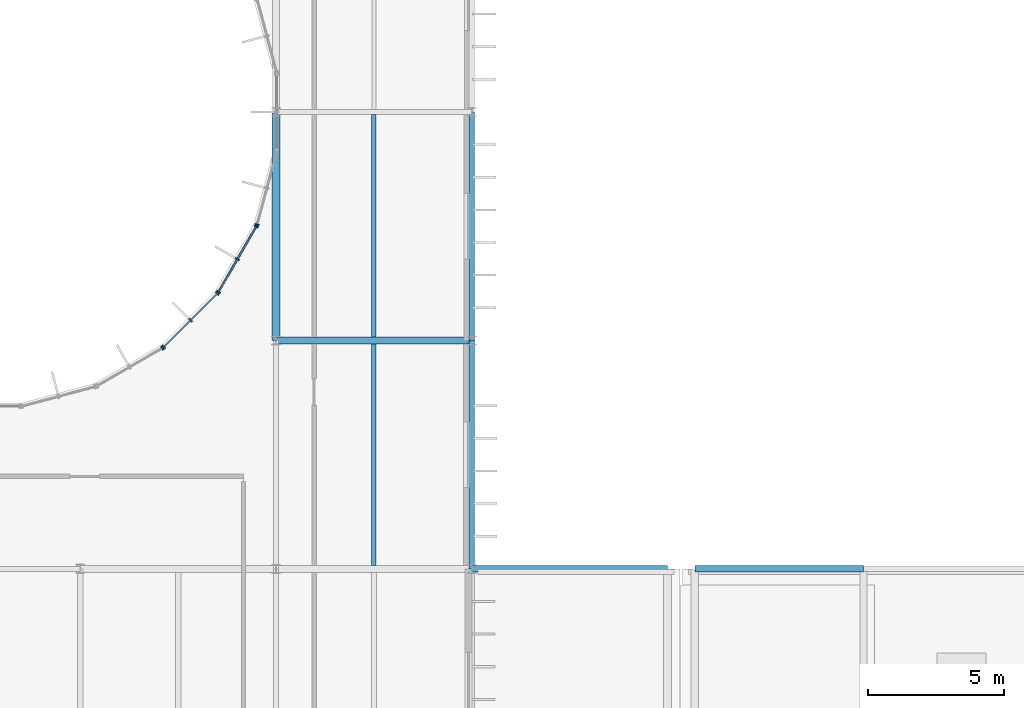
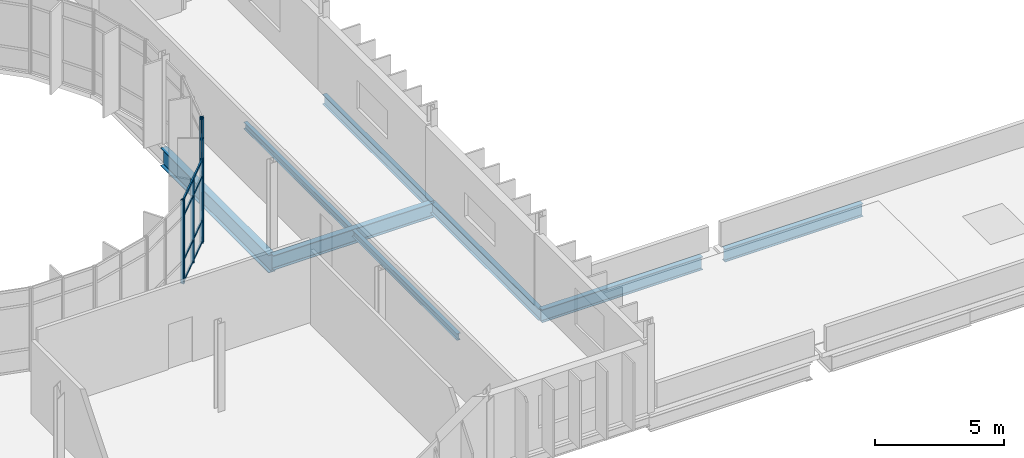
# One storey, part 23 of 61: 16 members, 8 beams, 4 elements without a shape of their own.
"""IFC4 building model written with IfcOpenShell, lengths in metres."""

from ifc_helpers import new_model, si_unit, direction, frame, origin, origin_2d, place, context, subcontext, project, spatial, rectangle, i_section, extrude, material, material_profile, profile_set, type_object, element, aggregate, save


model = new_model("IFC4")

# Units and contexts
model_context = context("Model", 3, precision=1e-05, world=origin(), true_north=direction((0.0, 1.0)))
body_context = subcontext(model_context, "Body", "Model", "MODEL_VIEW")
ifc_project = project(units=[si_unit("LENGTHUNIT", "METRE"), si_unit("AREAUNIT", "SQUARE_METRE"), si_unit("VOLUMEUNIT", "CUBIC_METRE"), si_unit("PLANEANGLEUNIT", "RADIAN"), si_unit("MASSUNIT", "GRAM", prefix="KILO")], contexts=[model_context])

# Site, building, storey
site_placement = place(None, origin())
site = spatial("IfcSite", under=ifc_project, at=site_placement, CompositionType="ELEMENT")
building_placement = place(site_placement, origin())
building = spatial("IfcBuilding", under=site, at=building_placement, Name="Qelthora Terrace Specialist Clinic", CompositionType="ELEMENT")
storey_placement = place(building_placement, frame((0.0, 0.0, 13.199951171875)))
storey = spatial("IfcBuildingStorey", under=building, at=storey_placement, Name="L03", CompositionType="ELEMENT", Elevation=13.199951171875)

# Beams
ifc_material_1 = material(Name="Steel S355", Category="steel")
ifc_material_profile_1 = material_profile(ifc_material_1, i_section(OverallWidth=0.193115234375, OverallDepth=0.466064453125, WebThickness=0.011474609375, FlangeThickness=0.01904296875, FilletRadius=0.012939453125, at=origin_2d()), Name="W460X97")
ifc_profile_set_1 = profile_set([ifc_material_profile_1], Name="Steel S355")
beam_type_1 = type_object("IfcBeamType", Name="BM-W460X97", PredefinedType="BEAM", material=ifc_profile_set_1)
beam_1_placement = place(storey_placement, frame((43.199951171875, 75.60009765625, -0.48291015625), z_axis=(0.0, 1.0, 0.0), x_axis=(-1.0, 0.0, 0.0)))
element("IfcBeam", 1, at=beam_1_placement, inside=storey, type_object=beam_type_1, Name="Girder BMY-L03-1057", PredefinedType="BEAM", context=body_context, shape_type="SweptSolid", body=[
    extrude(i_section(OverallWidth=0.193115234375, OverallDepth=0.466064453125, WebThickness=0.011474609375, FlangeThickness=0.01904296875, FilletRadius=0.012939453125, at=origin_2d()), origin(), (0.0, 0.0, 1.0), 8.39990234375),
])
ifc_material_profile_2 = material_profile(ifc_material_1, i_section(OverallWidth=0.2099609375, OverallDepth=0.537109375, WebThickness=0.010986328125, FlangeThickness=0.017333984375, FilletRadius=0.013916015625, at=origin_2d()), Name="W530X101")
ifc_profile_set_2 = profile_set([ifc_material_profile_2], Name="Steel S355")
beam_type_2 = type_object("IfcBeamType", Name="BM-W530X101", PredefinedType="BEAM", material=ifc_profile_set_2)
beam_2_placement = place(storey_placement, frame((43.199951171875, 67.199951171875, -0.5185546875), z_axis=(0.0, 1.0, 0.0), x_axis=(-1.0, 0.0, 0.0)))
element("IfcBeam", 2, at=beam_2_placement, inside=storey, type_object=beam_type_2, Name="Girder BMY-L03-1056", PredefinedType="BEAM", context=body_context, shape_type="SweptSolid", body=[
    extrude(i_section(OverallWidth=0.2099609375, OverallDepth=0.537109375, WebThickness=0.010986328125, FlangeThickness=0.017333984375, FilletRadius=0.013916015625, at=origin_2d()), origin(), (0.0, 0.0, 1.0), 8.400146484375),
])
ifc_material_profile_3 = material_profile(ifc_material_1, i_section(OverallWidth=0.22900390625, OverallDepth=0.612060546875, WebThickness=0.011962890625, FlangeThickness=0.01953125, FilletRadius=0.01611328125, at=origin_2d()), Name="W610X125")
ifc_profile_set_3 = profile_set([ifc_material_profile_3], Name="Steel S355")
beam_type_3 = type_object("IfcBeamType", Name="BM-W610X125", PredefinedType="BEAM", material=ifc_profile_set_3)
beam_3_placement = place(storey_placement, frame((51.39990234375, 67.199951171875, -0.555908203125), z_axis=(1.0, 0.0, 0.0), x_axis=(0.0, 1.0, 0.0)))
element("IfcBeam", 3, at=beam_3_placement, inside=storey, type_object=beam_type_3, Name="Girder BMX-L03-0956", PredefinedType="BEAM", context=body_context, shape_type="SweptSolid", body=[
    extrude(i_section(OverallWidth=0.22900390625, OverallDepth=0.612060546875, WebThickness=0.011962890625, FlangeThickness=0.01953125, FilletRadius=0.01611328125, at=origin_2d()), origin(), (0.0, 0.0, 1.0), 6.2001953125),
])
ifc_material_profile_4 = material_profile(ifc_material_1, i_section(OverallWidth=0.22998046875, OverallDepth=0.616943359375, WebThickness=0.01318359375, FlangeThickness=0.022216796875, FilletRadius=0.01611328125, at=origin_2d()), Name="W610X140")
ifc_profile_set_4 = profile_set([ifc_material_profile_4], Name="Steel S355")
beam_type_4 = type_object("IfcBeamType", Name="BM-W610X140", PredefinedType="BEAM", material=ifc_profile_set_4)
beam_4_placement = place(storey_placement, frame((43.199951171875, 67.199951171875, -0.558349609375), z_axis=(1.0, 0.0, 0.0), x_axis=(0.0, 1.0, 0.0)))
element("IfcBeam", 4, at=beam_4_placement, inside=storey, type_object=beam_type_4, Name="Girder BMX-L03-0955", PredefinedType="BEAM", context=body_context, shape_type="SweptSolid", body=[
    extrude(i_section(OverallWidth=0.22998046875, OverallDepth=0.616943359375, WebThickness=0.01318359375, FlangeThickness=0.022216796875, FilletRadius=0.01611328125, at=origin_2d()), origin(), (0.0, 0.0, 1.0), 7.199951171875),
])
ifc_material_profile_5 = material_profile(ifc_material_1, i_section(OverallWidth=0.256103515625, OverallDepth=0.693115234375, WebThickness=0.014404296875, FlangeThickness=0.023681640625, FilletRadius=0.01806640625, at=origin_2d()), Name="W690X170")
ifc_profile_set_5 = profile_set([ifc_material_profile_5], Name="Steel S355")
beam_type_5 = type_object("IfcBeamType", Name="BM-W690X170", PredefinedType="BEAM", material=ifc_profile_set_5)
beam_5_placement = place(storey_placement, frame((36.0, 75.60009765625, -0.596435546875), z_axis=(1.0, 0.0, 0.0), x_axis=(0.0, 1.0, 0.0)))
element("IfcBeam", 5, at=beam_5_placement, inside=storey, type_object=beam_type_5, Name="Girder BMX-L03-0967", PredefinedType="BEAM", context=body_context, shape_type="SweptSolid", body=[
    extrude(i_section(OverallWidth=0.256103515625, OverallDepth=0.693115234375, WebThickness=0.014404296875, FlangeThickness=0.023681640625, FilletRadius=0.01806640625, at=origin_2d()), origin(), (0.0, 0.0, 1.0), 7.199951171875),
])
ifc_material_profile_6 = material_profile(ifc_material_1, i_section(OverallWidth=0.2939453125, OverallDepth=0.85107421875, WebThickness=0.01611328125, FlangeThickness=0.02685546875, FilletRadius=0.02001953125, at=origin_2d()), Name="W840X226")
ifc_profile_set_6 = profile_set([ifc_material_profile_6], Name="Steel S355")
beam_type_6 = type_object("IfcBeamType", Name="BM-W840X226", PredefinedType="BEAM", material=ifc_profile_set_6)
beam_6_placement = place(storey_placement, frame((36.0, 75.60009765625, -0.675537109375), z_axis=(0.0, 1.0, 0.0), x_axis=(-1.0, 0.0, 0.0)))
element("IfcBeam", 6, at=beam_6_placement, inside=storey, type_object=beam_type_6, Name="Girder BMY-L03-1051", PredefinedType="BEAM", context=body_context, shape_type="SweptSolid", body=[
    extrude(i_section(OverallWidth=0.2939453125, OverallDepth=0.85107421875, WebThickness=0.01611328125, FlangeThickness=0.02685546875, FilletRadius=0.02001953125, at=origin_2d()), origin(), (0.0, 0.0, 1.0), 8.39990234375),
])

# Curtain wall, member
ifc_material_2 = material(Name="Aluminium anodized bronze", Category="aluminium")
curtain_wall_type = type_object("IfcCurtainWallType", Name="CW-CRTW-UPP", PredefinedType="NOTDEFINED", material=ifc_material_2)
curtain_wall_1_placement = place(storey_placement, origin())
curtain_wall_1 = element("IfcCurtainWall", 7, at=curtain_wall_1_placement, inside=storey, type_object=curtain_wall_type, Name="Curtain wall CW-CW-L03-20", PredefinedType="NOTDEFINED")
ifc_material_profile_7 = material_profile(ifc_material_2, rectangle(XDim=0.06005859375, YDim=0.14990234375, at=origin_2d()), Name="CWM60X150")
ifc_profile_set_7 = profile_set([ifc_material_profile_7], Name="Aluminium anodized bronze")
member_type_1 = type_object("IfcMemberType", Name="CWM-60X150", PredefinedType="MULLION", material=ifc_profile_set_7)
member_1_placement = place(storey_placement, frame((31.8173828125, 75.31787109375, 0.0), z_axis=(0.0, 0.0, 1.0), x_axis=(0.866025635896, 0.499999597971, 0.0)))
member_1 = element("IfcMember", 8, at=member_1_placement, type_object=member_type_1, Name="CW-CW-L03-20 mullion 3", PredefinedType="MULLION", context=body_context, shape_type="SweptSolid", body=[
    extrude(rectangle(XDim=0.06005859375, YDim=0.14990234375, at=origin_2d()), origin(), (0.0, 0.0, 1.0), 3.945068359375),
])
aggregate(curtain_wall_1, [member_1])

# Curtain wall, members
curtain_wall_2_placement = place(storey_placement, origin())
curtain_wall_2 = element("IfcCurtainWall", 9, at=curtain_wall_2_placement, inside=storey, type_object=curtain_wall_type, Name="Curtain wall CW-CW-L03-21", PredefinedType="NOTDEFINED")
member_2_placement = place(storey_placement, frame((31.87353515625, 75.361083984375, 0.0), z_axis=(0.0, 0.0, 1.0), x_axis=(0.707106781187, 0.707106781187, 0.0)))
member_2 = element("IfcMember", 10, at=member_2_placement, type_object=member_type_1, Name="CW-CW-L03-21 mullion 1", PredefinedType="MULLION", context=body_context, shape_type="SweptSolid", body=[
    extrude(rectangle(XDim=0.06005859375, YDim=0.14990234375, at=origin_2d()), origin(), (0.0, 0.0, 1.0), 3.945068359375),
])
member_3_placement = place(storey_placement, frame((32.856201171875, 76.34375, 0.0), z_axis=(0.0, 0.0, 1.0), x_axis=(0.707106781187, 0.707106781187, 0.0)))
member_3 = element("IfcMember", 11, at=member_3_placement, type_object=member_type_1, Name="CW-CW-L03-21 mullion 2", PredefinedType="MULLION", context=body_context, shape_type="SweptSolid", body=[
    extrude(rectangle(XDim=0.06005859375, YDim=0.14990234375, at=origin_2d()), origin(), (0.0, 0.0, 1.0), 3.945068359375),
])
member_4_placement = place(storey_placement, frame((33.8388671875, 77.326416015625, 0.0), z_axis=(0.0, 0.0, 1.0), x_axis=(0.707106781187, 0.707106781187, 0.0)))
member_4 = element("IfcMember", 12, at=member_4_placement, type_object=member_type_1, Name="CW-CW-L03-21 mullion 3", PredefinedType="MULLION", context=body_context, shape_type="SweptSolid", body=[
    extrude(rectangle(XDim=0.06005859375, YDim=0.14990234375, at=origin_2d()), origin(), (0.0, 0.0, 1.0), 3.945068359375),
])

curtain_wall_3_placement = place(storey_placement, origin())
curtain_wall_3 = element("IfcCurtainWall", 13, at=curtain_wall_3_placement, inside=storey, type_object=curtain_wall_type, Name="Curtain wall CW-CW-L03-22", PredefinedType="NOTDEFINED")
member_5_placement = place(storey_placement, frame((33.882080078125, 77.3828125, 0.0), z_axis=(0.0, 0.0, 1.0), x_axis=(0.499999597971, 0.866025635896, 0.0)))
member_5 = element("IfcMember", 14, at=member_5_placement, type_object=member_type_1, Name="CW-CW-L03-22 mullion 1", PredefinedType="MULLION", context=body_context, shape_type="SweptSolid", body=[
    extrude(rectangle(XDim=0.06005859375, YDim=0.14990234375, at=origin_2d()), origin(), (0.0, 0.0, 1.0), 3.945068359375),
])
member_6_placement = place(storey_placement, frame((34.576904296875, 78.586181640625, 0.0), z_axis=(0.0, 0.0, 1.0), x_axis=(0.499999597971, 0.866025635896, 0.0)))
member_6 = element("IfcMember", 15, at=member_6_placement, type_object=member_type_1, Name="CW-CW-L03-22 mullion 2", PredefinedType="MULLION", context=body_context, shape_type="SweptSolid", body=[
    extrude(rectangle(XDim=0.06005859375, YDim=0.14990234375, at=origin_2d()), origin(), (0.0, 0.0, 1.0), 3.945068359375),
])
member_7_placement = place(storey_placement, frame((35.271728515625, 79.789794921875, 0.0), z_axis=(0.0, 0.0, 1.0), x_axis=(0.499999597971, 0.866025635896, 0.0)))
member_7 = element("IfcMember", 16, at=member_7_placement, type_object=member_type_1, Name="CW-CW-L03-22 mullion 3", PredefinedType="MULLION", context=body_context, shape_type="SweptSolid", body=[
    extrude(rectangle(XDim=0.06005859375, YDim=0.14990234375, at=origin_2d()), origin(), (0.0, 0.0, 1.0), 3.945068359375),
])

# Curtain wall, member
curtain_wall_4_placement = place(storey_placement, origin())
curtain_wall_4 = element("IfcCurtainWall", 17, at=curtain_wall_4_placement, inside=storey, type_object=curtain_wall_type, Name="Curtain wall CW-CW-L03-23", PredefinedType="NOTDEFINED")
member_8_placement = place(storey_placement, frame((35.299072265625, 79.855224609375, 0.0), z_axis=(0.0, 0.0, 1.0), x_axis=(0.258820356987, 0.96592547477, 0.0)))
member_8 = element("IfcMember", 18, at=member_8_placement, type_object=member_type_1, Name="CW-CW-L03-23 mullion 1", PredefinedType="MULLION", context=body_context, shape_type="SweptSolid", body=[
    extrude(rectangle(XDim=0.06005859375, YDim=0.14990234375, at=origin_2d()), origin(), (0.0, 0.0, 1.0), 3.945068359375),
])
aggregate(curtain_wall_4, [member_8])

# Member
ifc_material_profile_8 = material_profile(ifc_material_2, rectangle(XDim=0.06005859375, YDim=0.110107421875, at=origin_2d()), Name="CWT60X110")
ifc_profile_set_8 = profile_set([ifc_material_profile_8], Name="Aluminium anodized bronze")
member_type_2 = type_object("IfcMemberType", Name="CWT-60X110", PredefinedType="USERDEFINED", material=ifc_profile_set_8)
member_9_placement = place(storey_placement, frame((31.8876953125, 75.375244140625, 0.0400390625), z_axis=(0.707106781187, 0.707106781187, 0.0), x_axis=(-0.707106781187, 0.707106781187, 0.0)))
member_9 = element("IfcMember", 19, at=member_9_placement, type_object=member_type_2, Name="CW-CW-L03-21 transom 1", ObjectType="TRANSOM", PredefinedType="USERDEFINED", context=body_context, shape_type="SweptSolid", body=[
    extrude(rectangle(XDim=0.06005859375, YDim=0.110107421875, at=origin_2d()), origin(), (0.0, 0.0, 1.0), 2.7392578125),
])

member_10_placement = place(storey_placement, frame((31.8876953125, 75.375244140625, 1.050048828125), z_axis=(0.707106781187, 0.707106781187, 0.0), x_axis=(-0.707106781187, 0.707106781187, 0.0)))
member_10 = element("IfcMember", 20, at=member_10_placement, type_object=member_type_2, Name="CW-CW-L03-21 transom 2", ObjectType="TRANSOM", PredefinedType="USERDEFINED", context=body_context, shape_type="SweptSolid", body=[
    extrude(rectangle(XDim=0.06005859375, YDim=0.110107421875, at=origin_2d()), origin(), (0.0, 0.0, 1.0), 2.7392578125),
])

member_11_placement = place(storey_placement, frame((31.8876953125, 75.375244140625, 3.14501953125), z_axis=(0.707106781187, 0.707106781187, 0.0), x_axis=(-0.707106781187, 0.707106781187, 0.0)))
member_11 = element("IfcMember", 21, at=member_11_placement, type_object=member_type_2, Name="CW-CW-L03-21 transom 3", ObjectType="TRANSOM", PredefinedType="USERDEFINED", context=body_context, shape_type="SweptSolid", body=[
    extrude(rectangle(XDim=0.06005859375, YDim=0.110107421875, at=origin_2d()), origin(), (0.0, 0.0, 1.0), 2.7392578125),
])

member_12_placement = place(storey_placement, frame((31.8876953125, 75.375244140625, 3.905029296875), z_axis=(0.707106781187, 0.707106781187, 0.0), x_axis=(-0.707106781187, 0.707106781187, 0.0)))
member_12 = element("IfcMember", 22, at=member_12_placement, type_object=member_type_2, Name="CW-CW-L03-21 transom 4", ObjectType="TRANSOM", PredefinedType="USERDEFINED", context=body_context, shape_type="SweptSolid", body=[
    extrude(rectangle(XDim=0.06005859375, YDim=0.110107421875, at=origin_2d()), origin(), (0.0, 0.0, 1.0), 2.7392578125),
])

aggregate(curtain_wall_2, [member_2, member_3, member_4, member_9, member_10, member_11, member_12])

member_13_placement = place(storey_placement, frame((33.89208984375, 77.39990234375, 0.0400390625), z_axis=(0.499953886166, 0.866052025982, 0.0), x_axis=(-0.866052025982, 0.499953886166, 0.0)))
member_13 = element("IfcMember", 23, at=member_13_placement, type_object=member_type_2, Name="CW-CW-L03-22 transom 1", ObjectType="TRANSOM", PredefinedType="USERDEFINED", context=body_context, shape_type="SweptSolid", body=[
    extrude(rectangle(XDim=0.06005859375, YDim=0.110107421875, at=origin_2d()), origin(), (0.0, 0.0, 1.0), 2.739501953125),
])

member_14_placement = place(storey_placement, frame((33.89208984375, 77.39990234375, 1.050048828125), z_axis=(0.499953886166, 0.866052025982, 0.0), x_axis=(-0.866052025982, 0.499953886166, 0.0)))
member_14 = element("IfcMember", 24, at=member_14_placement, type_object=member_type_2, Name="CW-CW-L03-22 transom 2", ObjectType="TRANSOM", PredefinedType="USERDEFINED", context=body_context, shape_type="SweptSolid", body=[
    extrude(rectangle(XDim=0.06005859375, YDim=0.110107421875, at=origin_2d()), origin(), (0.0, 0.0, 1.0), 2.739501953125),
])

member_15_placement = place(storey_placement, frame((33.89208984375, 77.39990234375, 3.14501953125), z_axis=(0.499953886166, 0.866052025982, 0.0), x_axis=(-0.866052025982, 0.499953886166, 0.0)))
member_15 = element("IfcMember", 25, at=member_15_placement, type_object=member_type_2, Name="CW-CW-L03-22 transom 3", ObjectType="TRANSOM", PredefinedType="USERDEFINED", context=body_context, shape_type="SweptSolid", body=[
    extrude(rectangle(XDim=0.06005859375, YDim=0.110107421875, at=origin_2d()), origin(), (0.0, 0.0, 1.0), 2.739501953125),
])

member_16_placement = place(storey_placement, frame((33.89208984375, 77.39990234375, 3.905029296875), z_axis=(0.499953886166, 0.866052025982, 0.0), x_axis=(-0.866052025982, 0.499953886166, 0.0)))
member_16 = element("IfcMember", 26, at=member_16_placement, type_object=member_type_2, Name="CW-CW-L03-22 transom 4", ObjectType="TRANSOM", PredefinedType="USERDEFINED", context=body_context, shape_type="SweptSolid", body=[
    extrude(rectangle(XDim=0.06005859375, YDim=0.110107421875, at=origin_2d()), origin(), (0.0, 0.0, 1.0), 2.739501953125),
])

aggregate(curtain_wall_3, [member_5, member_6, member_7, member_13, member_14, member_15, member_16])

# Beams
ifc_material_profile_9 = material_profile(ifc_material_1, i_section(OverallWidth=0.166015625, OverallDepth=0.31298828125, WebThickness=0.006591796875, FlangeThickness=0.01123046875, FilletRadius=0.010009765625, at=origin_2d()), Name="W310X45")
ifc_profile_set_9 = profile_set([ifc_material_profile_9], Name="Steel S355")
beam_type_7 = type_object("IfcBeamType", Name="JST-W310X45", PredefinedType="JOIST", material=ifc_profile_set_9)
beam_7_placement = place(storey_placement, frame((39.60009765625, 75.72802734375, -0.406494140625), z_axis=(0.0, 1.0, 0.0), x_axis=(-1.0, 0.0, 0.0)))
element("IfcBeam", 27, at=beam_7_placement, inside=storey, type_object=beam_type_7, Name="Composite floor joist JST-L03-0232", PredefinedType="JOIST", context=body_context, shape_type="SweptSolid", body=[
    extrude(i_section(OverallWidth=0.166015625, OverallDepth=0.31298828125, WebThickness=0.006591796875, FlangeThickness=0.01123046875, FilletRadius=0.010009765625, at=origin_2d()), origin(), (0.0, 0.0, 1.0), 8.175537109375),
])
ifc_material_profile_10 = material_profile(ifc_material_1, i_section(OverallWidth=0.1669921875, OverallDepth=0.31689453125, WebThickness=0.007568359375, FlangeThickness=0.01318359375, FilletRadius=0.010009765625, at=origin_2d()), Name="W310X52")
ifc_profile_set_10 = profile_set([ifc_material_profile_10], Name="Steel S355")
beam_type_8 = type_object("IfcBeamType", Name="JST-W310X52", PredefinedType="JOIST", material=ifc_profile_set_10)
beam_8_placement = place(storey_placement, frame((39.60009765625, 67.326904296875, -0.408447265625), z_axis=(0.0, 1.0, 0.0), x_axis=(-1.0, 0.0, 0.0)))
element("IfcBeam", 28, at=beam_8_placement, inside=storey, type_object=beam_type_8, Name="Composite floor joist JST-L03-0231", PredefinedType="JOIST", context=body_context, shape_type="SweptSolid", body=[
    extrude(i_section(OverallWidth=0.1669921875, OverallDepth=0.31689453125, WebThickness=0.007568359375, FlangeThickness=0.01318359375, FilletRadius=0.010009765625, at=origin_2d()), origin(), (0.0, 0.0, 1.0), 8.14501953125),
])

save(model, "model.ifc")
